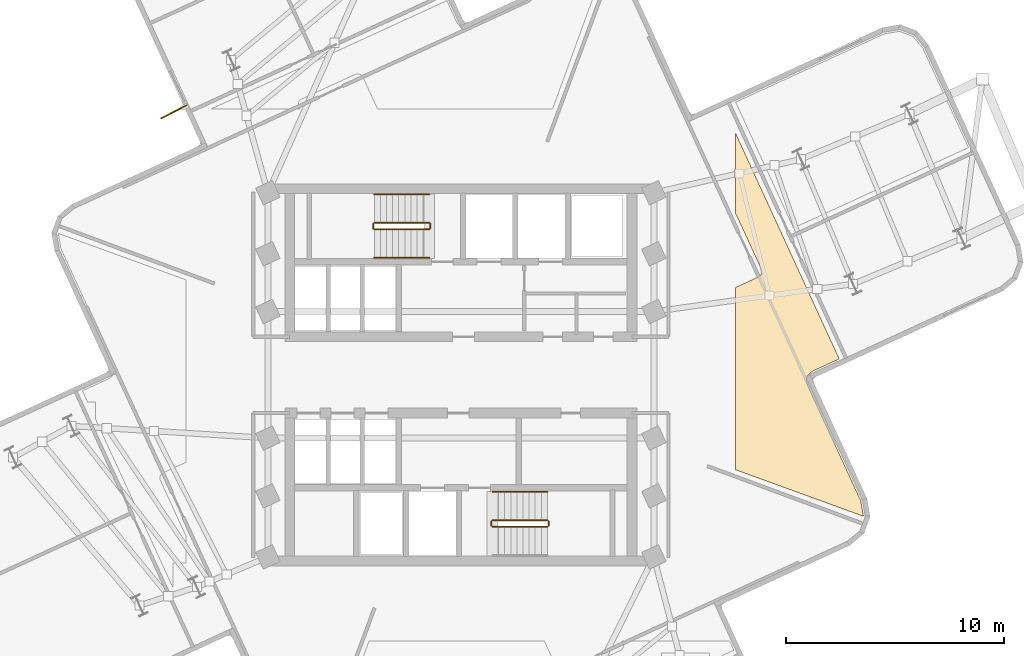
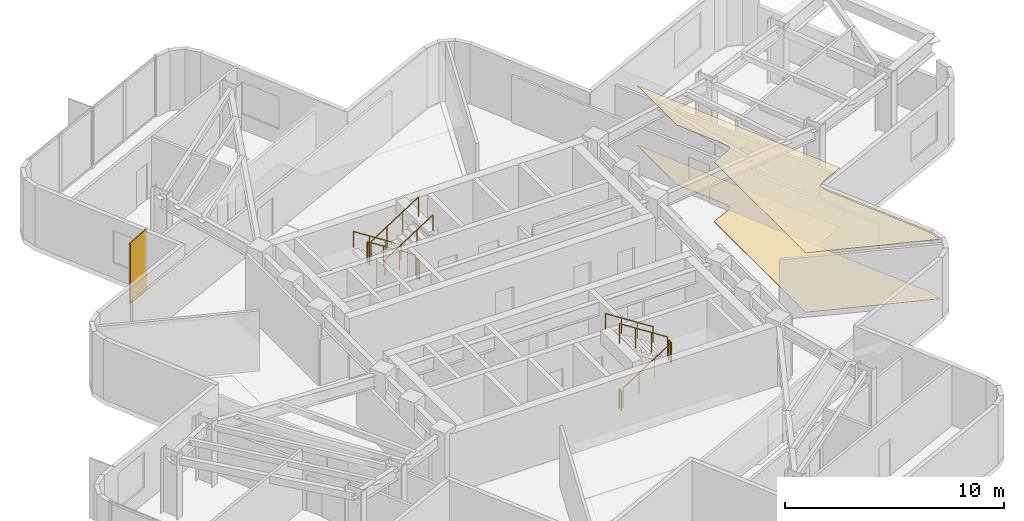
# One storey, part 10 of 11: 11 railings, 2 coverings, 1 shading device.
"""IFC4 building model written with IfcOpenShell, lengths in metres."""

from ifc_helpers import new_model, si_unit, direction, frame, origin, origin_2d, place, context, subcontext, project, spatial, polyline, rectangle, circle, outline, extrude, material, layer, layer_set, type_object, element, save


model = new_model("IFC4")

# Units and contexts
model_context = context("Model", 3, precision=1e-05, world=origin(), true_north=direction((0.0, 1.0)))
body_context = subcontext(model_context, "Body", "Model", "MODEL_VIEW")
ifc_project = project(units=[si_unit("LENGTHUNIT", "METRE"), si_unit("AREAUNIT", "SQUARE_METRE"), si_unit("VOLUMEUNIT", "CUBIC_METRE"), si_unit("PLANEANGLEUNIT", "RADIAN"), si_unit("MASSUNIT", "GRAM", prefix="KILO")], contexts=[model_context])

# Site, building, storey
site_placement = place(None, origin())
site = spatial("IfcSite", under=ifc_project, at=site_placement, CompositionType="ELEMENT")
building_placement = place(site_placement, origin())
building = spatial("IfcBuilding", under=site, at=building_placement, Name="Solmarez Civic Tower", CompositionType="ELEMENT")
storey_placement = place(building_placement, frame((0.0, 0.0, 184.679931640625)))
storey = spatial("IfcBuildingStorey", under=building, at=storey_placement, Name="L49", CompositionType="ELEMENT", Elevation=184.679931640625)

# Coverings
ifc_material_1 = material(Name="Perforated Mineral-Fibre Acoustic Ceiling")
ifc_layer_1 = layer(ifc_material_1, 0.02490234375)
ifc_layer_set_1 = layer_set([ifc_layer_1], Name="Perforated Mineral-Fibre Acoustic Ceiling")
covering_type_1 = type_object("IfcCoveringType", Name="COV-CEIL-ACOUSTIC", PredefinedType="CEILING", material=ifc_layer_set_1)
covering_1_placement = place(storey_placement, frame((0.0, 0.0, 3.315185546875)))
element("IfcCovering", 1, at=covering_1_placement, inside=storey, type_object=covering_type_1, Name="L49 Suspended Acoustic Ceiling 3", PredefinedType="CEILING", context=body_context, shape_type="SweptSolid", body=[
    extrude(outline(polyline([(12.60009765625, 11.06689453125), (12.60009765625, 7.3701171875), (12.613037109375, 7.35400390625), (12.618896484375, 7.345947265625), (12.6298828125, 7.3310546875), (12.635009765625, 7.322998046875), (12.64794921875, 7.298095703125), (13.77587890625, 4.842041015625), (13.780029296875, 4.8330078125), (13.7890625, 4.81103515625), (13.794921875, 4.787109375), (13.7958984375, 4.781982421875), (13.799072265625, 4.760986328125), (13.800048828125, 4.739013671875), (13.800048828125, 4.72900390625), (13.799072265625, 4.70703125), (13.7958984375, 4.68603515625), (13.794921875, 4.680908203125), (13.7939453125, 4.676025390625), (13.7919921875, 4.6669921875), (13.785888671875, 4.64599609375), (13.778076171875, 4.6259765625), (13.77392578125, 4.616943359375), (13.762939453125, 4.594970703125), (13.74609375, 4.570068359375), (13.72607421875, 4.5458984375), (13.718994140625, 4.5390625), (13.69091796875, 4.51611328125), (13.676025390625, 4.5048828125), (13.66796875, 4.5), (13.64306640625, 4.487060546875), (12.60009765625, 4.007080078125), (12.60009765625, -4.35400390625), (18.4560546875, -6.485107421875), (18.4580078125, -6.47900390625), (18.339111328125, -5.781982421875), (15.908935546875, -0.492919921875), (15.90087890625, -0.47509765625), (15.89404296875, -0.455078125), (15.89208984375, -0.447998046875), (15.885986328125, -0.4150390625), (15.85693359375, -0.2490234375), (15.85595703125, -0.239013671875), (15.85498046875, -0.23095703125), (15.85302734375, -0.2041015625), (15.85302734375, -0.18896484375), (15.85498046875, -0.162109375), (15.85595703125, -0.154052734375), (15.85791015625, -0.136962890625), (15.862060546875, -0.12109375), (15.864013671875, -0.114013671875), (15.8740234375, -0.0869140625), (15.876953125, -0.080078125), (15.8798828125, -0.072998046875), (15.89111328125, -0.051025390625), (15.89501953125, -0.0439453125), (15.905029296875, -0.028076171875), (15.9169921875, -0.011962890625), (15.922119140625, -0.006103515625), (15.93505859375, 0.009033203125), (15.93994140625, 0.013916015625), (15.946044921875, 0.02001953125), (15.9619140625, 0.033935546875), (16.093994140625, 0.14208984375), (16.09912109375, 0.14697265625), (16.113037109375, 0.156982421875), (16.126953125, 0.1669921875), (16.132080078125, 0.169921875), (16.157958984375, 0.18310546875), (16.1630859375, 0.18505859375), (17.34912109375, 0.73095703125), (12.60009765625, 11.06689453125)])), origin(), (0.0, 0.0, 1.0), 0.02490234375),
])
ifc_material_2 = material(Name="Polished Tropical Stone Terrazzo Flooring", Category="masonry")
ifc_layer_2 = layer(ifc_material_2, 0.02001953125)
ifc_layer_set_2 = layer_set([ifc_layer_2], Name="Polished Tropical Stone Terrazzo Flooring")
covering_type_2 = type_object("IfcCoveringType", Name="COV-FLOOR-TERRAZZO", PredefinedType="FLOORING", material=ifc_layer_set_2)
covering_2_placement = place(storey_placement, origin())
element("IfcCovering", 2, at=covering_2_placement, inside=storey, type_object=covering_type_2, Name="L49 Terrazzo Floor Finish 3", PredefinedType="FLOORING", context=body_context, shape_type="SweptSolid", body=[
    extrude(outline(polyline([(12.60009765625, 11.06689453125), (12.60009765625, 7.3701171875), (12.613037109375, 7.35400390625), (12.618896484375, 7.345947265625), (12.6298828125, 7.3310546875), (12.635009765625, 7.322998046875), (12.64794921875, 7.298095703125), (13.77587890625, 4.842041015625), (13.780029296875, 4.8330078125), (13.7890625, 4.81103515625), (13.794921875, 4.787109375), (13.7958984375, 4.781982421875), (13.799072265625, 4.760986328125), (13.800048828125, 4.739013671875), (13.800048828125, 4.72900390625), (13.799072265625, 4.70703125), (13.7958984375, 4.68603515625), (13.794921875, 4.680908203125), (13.7939453125, 4.676025390625), (13.7919921875, 4.6669921875), (13.785888671875, 4.64599609375), (13.778076171875, 4.6259765625), (13.77392578125, 4.616943359375), (13.762939453125, 4.594970703125), (13.74609375, 4.570068359375), (13.72607421875, 4.5458984375), (13.718994140625, 4.5390625), (13.69091796875, 4.51611328125), (13.676025390625, 4.5048828125), (13.66796875, 4.5), (13.64306640625, 4.487060546875), (12.60009765625, 4.007080078125), (12.60009765625, -4.35400390625), (18.4560546875, -6.485107421875), (18.4580078125, -6.47900390625), (18.339111328125, -5.781982421875), (15.908935546875, -0.492919921875), (15.90087890625, -0.47509765625), (15.89404296875, -0.455078125), (15.89208984375, -0.447998046875), (15.885986328125, -0.4150390625), (15.85693359375, -0.2490234375), (15.85595703125, -0.239013671875), (15.85498046875, -0.23095703125), (15.85302734375, -0.2041015625), (15.85302734375, -0.18896484375), (15.85498046875, -0.162109375), (15.85595703125, -0.154052734375), (15.85791015625, -0.136962890625), (15.862060546875, -0.12109375), (15.864013671875, -0.114013671875), (15.8740234375, -0.0869140625), (15.876953125, -0.080078125), (15.8798828125, -0.072998046875), (15.89111328125, -0.051025390625), (15.89501953125, -0.0439453125), (15.905029296875, -0.028076171875), (15.9169921875, -0.011962890625), (15.922119140625, -0.006103515625), (15.93505859375, 0.009033203125), (15.93994140625, 0.013916015625), (15.946044921875, 0.02001953125), (15.9619140625, 0.033935546875), (16.093994140625, 0.14208984375), (16.09912109375, 0.14697265625), (16.113037109375, 0.156982421875), (16.126953125, 0.1669921875), (16.132080078125, 0.169921875), (16.157958984375, 0.18310546875), (16.1630859375, 0.18505859375), (17.34912109375, 0.73095703125), (12.60009765625, 11.06689453125)])), origin(), (0.0, 0.0, 1.0), 0.02001953125),
])

# Shading device
ifc_material_3 = material(Name="Bronze Anodised Aluminium EN AW-6063 T6", Category="aluminium")
ifc_layer_3 = layer(ifc_material_3, 0.06005859375)
ifc_layer_set_3 = layer_set([ifc_layer_3], Name="Bronze Anodised Aluminium EN AW-6063 T6")
shading_device_type = type_object("IfcShadingDeviceType", Name="FIN-BRONZE-Z34", PredefinedType="USERDEFINED", material=ifc_layer_set_3)
shading_device_placement = place(storey_placement, frame((-13.153076171875, 12.06201171875, -0.039794921875), z_axis=(0.0, 0.0, 1.0), x_axis=(-0.89301821851, -0.45002051221, 0.0)))
element("IfcShadingDevice", 3, at=shading_device_placement, inside=storey, type_object=shading_device_type, Name="L49 Anodised Bronze Solar Fin FIN-L49-04", ObjectType="FIN", PredefinedType="USERDEFINED", context=body_context, shape_type="SweptSolid", body=[
    extrude(rectangle(XDim=1.35009765625, YDim=0.06005859375, at=origin_2d()), origin(), (0.0, 0.0, 1.0), 3.3798828125),
])

# Railings
ifc_material_4 = material(Name="Painted Steel Stairwell Safety Guard", Category="steel")
railing_type_1 = type_object("IfcRailingType", Name="GUARD-STAIR-1120", PredefinedType="BALUSTRADE", material=ifc_material_4)
railing_1_placement = place(storey_placement, frame((-1.449951171875, 6.969970703125, 0.18017578125)))
element("IfcRailing", 4, at=railing_1_placement, inside=storey, type_object=railing_type_1, Name="L49 ST-1 stair guard 1", PredefinedType="BALUSTRADE", context=body_context, shape_type="SweptSolid", body=[
    extrude(circle(Radius=0.02392578125, at=origin_2d()), frame((0.0, 0.0, 1.09619140625), z_axis=(-0.841199657755, 0.0, 0.540724639528), x_axis=(0.0, -1.0, 0.0)), (0.0, 0.0, 1.0), 2.995849609375),
    extrude(circle(Radius=0.02099609375, at=origin_2d()), origin(), (0.0, 0.0, 1.0), 1.072021484375),
    extrude(circle(Radius=0.02099609375, at=origin_2d()), frame((-0.840087890625, 0.0, 0.5400390625)), (0.0, 0.0, 1.0), 1.072021484375),
    extrude(circle(Radius=0.02099609375, at=origin_2d()), frame((-1.679931640625, 0.0, 1.079833984375)), (0.0, 0.0, 1.0), 1.072021484375),
    extrude(circle(Radius=0.02099609375, at=origin_2d()), frame((-2.52001953125, 0.0, 1.619873046875)), (0.0, 0.0, 1.0), 1.072021484375),
])
railing_2_placement = place(storey_placement, frame((-4.02001953125, 6.919921875, 1.800048828125)))
element("IfcRailing", 5, at=railing_2_placement, inside=storey, type_object=railing_type_1, Name="L49 ST-1 stair guard 2", PredefinedType="BALUSTRADE", context=body_context, shape_type="SweptSolid", body=[
    extrude(circle(Radius=0.02392578125, at=origin_2d()), frame((0.0, 0.0, 1.09619140625), z_axis=(0.0, -1.0, 0.0), x_axis=(1.0, 0.0, 0.0)), (0.0, 0.0, 1.0), 0.199951171875),
    extrude(circle(Radius=0.02099609375, at=origin_2d()), origin(), (0.0, 0.0, 1.0), 1.072021484375),
    extrude(circle(Radius=0.02099609375, at=origin_2d()), frame((0.0, -0.199951171875, 0.0)), (0.0, 0.0, 1.0), 1.072021484375),
])
railing_3_placement = place(storey_placement, frame((-3.969970703125, 6.669921875, 1.97998046875)))
element("IfcRailing", 6, at=railing_3_placement, inside=storey, type_object=railing_type_1, Name="L49 ST-1 stair guard 3", PredefinedType="BALUSTRADE", context=body_context, shape_type="SweptSolid", body=[
    extrude(circle(Radius=0.02392578125, at=origin_2d()), frame((0.0, 0.0, 1.09619140625), z_axis=(0.841162588446, 0.0, 0.540782303519), x_axis=(0.0, 1.0, 0.0)), (0.0, 0.0, 1.0), 2.995849609375),
    extrude(circle(Radius=0.02099609375, at=origin_2d()), origin(), (0.0, 0.0, 1.0), 1.072021484375),
    extrude(circle(Radius=0.02099609375, at=origin_2d()), frame((0.840087890625, 0.0, 0.5400390625)), (0.0, 0.0, 1.0), 1.072021484375),
    extrude(circle(Radius=0.02099609375, at=origin_2d()), frame((1.679931640625, 0.0, 1.080078125)), (0.0, 0.0, 1.0), 1.072021484375),
    extrude(circle(Radius=0.02099609375, at=origin_2d()), frame((2.52001953125, 0.0, 1.6201171875)), (0.0, 0.0, 1.0), 1.072021484375),
])
railing_4_placement = place(storey_placement, frame((-1.39990234375, 6.919921875, 0.0)))
element("IfcRailing", 7, at=railing_4_placement, inside=storey, type_object=railing_type_1, Name="L49 ST-1 stair guard 4", PredefinedType="BALUSTRADE", context=body_context, shape_type="SweptSolid", body=[
    extrude(circle(Radius=0.02392578125, at=origin_2d()), frame((0.0, 0.0, 1.09619140625), z_axis=(0.0, -1.0, 0.0), x_axis=(1.0, 0.0, 0.0)), (0.0, 0.0, 1.0), 0.199951171875),
    extrude(circle(Radius=0.02099609375, at=origin_2d()), origin(), (0.0, 0.0, 1.0), 1.072021484375),
    extrude(circle(Radius=0.02099609375, at=origin_2d()), frame((0.0, -0.199951171875, 0.0)), (0.0, 0.0, 1.0), 1.072021484375),
])
railing_5_placement = place(storey_placement, frame((1.449951171875, -6.969970703125, 0.18017578125)))
element("IfcRailing", 8, at=railing_5_placement, inside=storey, type_object=railing_type_1, Name="L49 ST-2 stair guard 1", PredefinedType="BALUSTRADE", context=body_context, shape_type="SweptSolid", body=[
    extrude(circle(Radius=0.02392578125, at=origin_2d()), frame((0.0, 0.0, 1.09619140625), z_axis=(0.841199657755, 0.0, 0.540724639528), x_axis=(0.0, 1.0, 0.0)), (0.0, 0.0, 1.0), 2.995849609375),
    extrude(circle(Radius=0.02099609375, at=origin_2d()), origin(), (0.0, 0.0, 1.0), 1.072021484375),
    extrude(circle(Radius=0.02099609375, at=origin_2d()), frame((0.840087890625, 0.0, 0.5400390625)), (0.0, 0.0, 1.0), 1.072021484375),
    extrude(circle(Radius=0.02099609375, at=origin_2d()), frame((1.679931640625, 0.0, 1.079833984375)), (0.0, 0.0, 1.0), 1.072021484375),
    extrude(circle(Radius=0.02099609375, at=origin_2d()), frame((2.52001953125, 0.0, 1.619873046875)), (0.0, 0.0, 1.0), 1.072021484375),
])
railing_6_placement = place(storey_placement, frame((4.02001953125, -6.919921875, 1.800048828125)))
element("IfcRailing", 9, at=railing_6_placement, inside=storey, type_object=railing_type_1, Name="L49 ST-2 stair guard 2", PredefinedType="BALUSTRADE", context=body_context, shape_type="SweptSolid", body=[
    extrude(circle(Radius=0.02392578125, at=origin_2d()), frame((0.0, 0.0, 1.09619140625), z_axis=(0.0, 1.0, 0.0), x_axis=(-1.0, 0.0, 0.0)), (0.0, 0.0, 1.0), 0.199951171875),
    extrude(circle(Radius=0.02099609375, at=origin_2d()), origin(), (0.0, 0.0, 1.0), 1.072021484375),
    extrude(circle(Radius=0.02099609375, at=origin_2d()), frame((0.0, 0.199951171875, 0.0)), (0.0, 0.0, 1.0), 1.072021484375),
])
railing_7_placement = place(storey_placement, frame((3.969970703125, -6.669921875, 1.97998046875)))
element("IfcRailing", 10, at=railing_7_placement, inside=storey, type_object=railing_type_1, Name="L49 ST-2 stair guard 3", PredefinedType="BALUSTRADE", context=body_context, shape_type="SweptSolid", body=[
    extrude(circle(Radius=0.02392578125, at=origin_2d()), frame((0.0, 0.0, 1.09619140625), z_axis=(-0.841162588446, 0.0, 0.540782303519), x_axis=(0.0, -1.0, 0.0)), (0.0, 0.0, 1.0), 2.995849609375),
    extrude(circle(Radius=0.02099609375, at=origin_2d()), origin(), (0.0, 0.0, 1.0), 1.072021484375),
    extrude(circle(Radius=0.02099609375, at=origin_2d()), frame((-0.840087890625, 0.0, 0.5400390625)), (0.0, 0.0, 1.0), 1.072021484375),
    extrude(circle(Radius=0.02099609375, at=origin_2d()), frame((-1.679931640625, 0.0, 1.080078125)), (0.0, 0.0, 1.0), 1.072021484375),
    extrude(circle(Radius=0.02099609375, at=origin_2d()), frame((-2.52001953125, 0.0, 1.6201171875)), (0.0, 0.0, 1.0), 1.072021484375),
])
railing_8_placement = place(storey_placement, frame((1.39990234375, -6.919921875, 0.0)))
element("IfcRailing", 11, at=railing_8_placement, inside=storey, type_object=railing_type_1, Name="L49 ST-2 stair guard 4", PredefinedType="BALUSTRADE", context=body_context, shape_type="SweptSolid", body=[
    extrude(circle(Radius=0.02392578125, at=origin_2d()), frame((0.0, 0.0, 1.09619140625), z_axis=(0.0, 1.0, 0.0), x_axis=(-1.0, 0.0, 0.0)), (0.0, 0.0, 1.0), 0.199951171875),
    extrude(circle(Radius=0.02099609375, at=origin_2d()), origin(), (0.0, 0.0, 1.0), 1.072021484375),
    extrude(circle(Radius=0.02099609375, at=origin_2d()), frame((0.0, 0.199951171875, 0.0)), (0.0, 0.0, 1.0), 1.072021484375),
])
ifc_material_5 = material(Name="Brushed Stainless Steel Tube Handrail", Category="steel")
railing_type_2 = type_object("IfcRailingType", Name="HANDRAIL-STAIR-900", PredefinedType="HANDRAIL", material=ifc_material_5)
railing_9_placement = place(storey_placement, frame((-1.449951171875, 8.27001953125, 0.18017578125)))
element("IfcRailing", 12, at=railing_9_placement, inside=storey, type_object=railing_type_2, Name="L49 ST-1 stair handrail 1", PredefinedType="HANDRAIL", context=body_context, shape_type="SweptSolid", body=[
    extrude(circle(Radius=0.02392578125, at=origin_2d()), frame((0.0, 0.0, 0.8759765625), z_axis=(-0.841199657755, 0.0, 0.540724639528), x_axis=(0.0, -1.0, 0.0)), (0.0, 0.0, 1.0), 2.995849609375),
    extrude(circle(Radius=0.02099609375, at=origin_2d()), origin(), (0.0, 0.0, 1.0), 0.851806640625),
    extrude(circle(Radius=0.02099609375, at=origin_2d()), frame((-0.840087890625, 0.0, 0.5400390625)), (0.0, 0.0, 1.0), 0.851806640625),
    extrude(circle(Radius=0.02099609375, at=origin_2d()), frame((-1.679931640625, 0.0, 1.079833984375)), (0.0, 0.0, 1.0), 0.851806640625),
    extrude(circle(Radius=0.02099609375, at=origin_2d()), frame((-2.52001953125, 0.0, 1.619873046875)), (0.0, 0.0, 1.0), 0.851806640625),
])
railing_10_placement = place(storey_placement, frame((-3.969970703125, 5.3701171875, 1.97998046875)))
element("IfcRailing", 13, at=railing_10_placement, inside=storey, type_object=railing_type_2, Name="L49 ST-1 stair handrail 2", PredefinedType="HANDRAIL", context=body_context, shape_type="SweptSolid", body=[
    extrude(circle(Radius=0.02392578125, at=origin_2d()), frame((0.0, 0.0, 0.8759765625), z_axis=(0.841162588446, 0.0, 0.540782303519), x_axis=(0.0, 1.0, 0.0)), (0.0, 0.0, 1.0), 2.995849609375),
    extrude(circle(Radius=0.02099609375, at=origin_2d()), origin(), (0.0, 0.0, 1.0), 0.851806640625),
    extrude(circle(Radius=0.02099609375, at=origin_2d()), frame((0.840087890625, 0.0, 0.5400390625)), (0.0, 0.0, 1.0), 0.851806640625),
    extrude(circle(Radius=0.02099609375, at=origin_2d()), frame((1.679931640625, 0.0, 1.080078125)), (0.0, 0.0, 1.0), 0.851806640625),
    extrude(circle(Radius=0.02099609375, at=origin_2d()), frame((2.52001953125, 0.0, 1.6201171875)), (0.0, 0.0, 1.0), 0.851806640625),
])
railing_11_placement = place(storey_placement, frame((3.969970703125, -5.3701171875, 1.97998046875)))
element("IfcRailing", 14, at=railing_11_placement, inside=storey, type_object=railing_type_2, Name="L49 ST-2 stair handrail 2", PredefinedType="HANDRAIL", context=body_context, shape_type="SweptSolid", body=[
    extrude(circle(Radius=0.02392578125, at=origin_2d()), frame((0.0, 0.0, 0.8759765625), z_axis=(-0.841162588446, 0.0, 0.540782303519), x_axis=(0.0, -1.0, 0.0)), (0.0, 0.0, 1.0), 2.995849609375),
    extrude(circle(Radius=0.02099609375, at=origin_2d()), origin(), (0.0, 0.0, 1.0), 0.851806640625),
    extrude(circle(Radius=0.02099609375, at=origin_2d()), frame((-0.840087890625, 0.0, 0.5400390625)), (0.0, 0.0, 1.0), 0.851806640625),
    extrude(circle(Radius=0.02099609375, at=origin_2d()), frame((-1.679931640625, 0.0, 1.080078125)), (0.0, 0.0, 1.0), 0.851806640625),
    extrude(circle(Radius=0.02099609375, at=origin_2d()), frame((-2.52001953125, 0.0, 1.6201171875)), (0.0, 0.0, 1.0), 0.851806640625),
])

save(model, "model.ifc")
